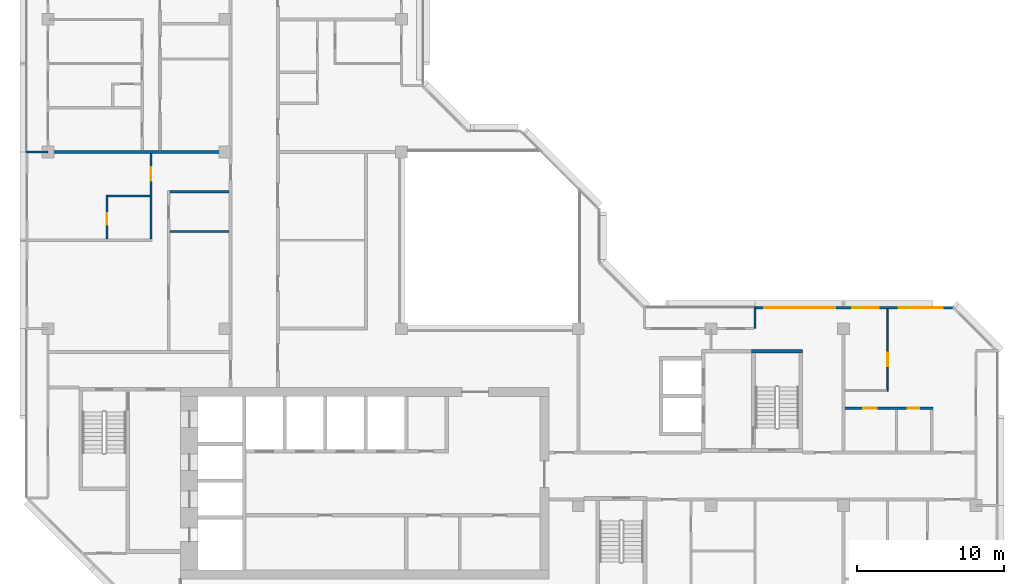
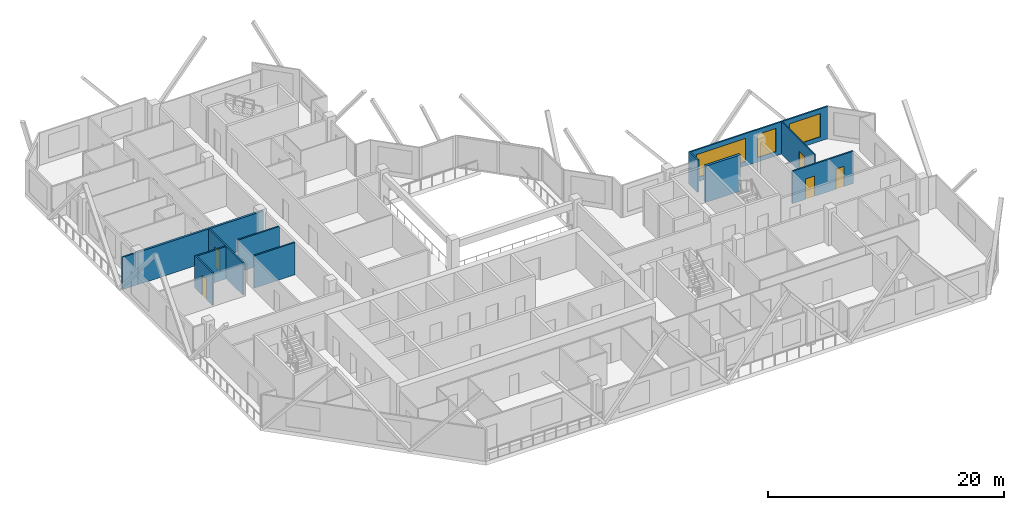
# One storey, part 8 of 13: 12 walls, 5 doors, 3 windows, 8 openings.
"""IFC4 building model written with IfcOpenShell, lengths in metres."""

from ifc_helpers import new_model, si_unit, direction, frame, frame_2d, origin, place, context, subcontext, project, spatial, rectangle, extrude, material, layer, layer_set, type_object, element, fill, save


model = new_model("IFC4")

# Units and contexts
model_context = context("Model", 3, precision=1e-05, world=origin(), true_north=direction((0.0, 1.0)))
body_context = subcontext(model_context, "Body", "Model", "MODEL_VIEW")
ifc_project = project(units=[si_unit("LENGTHUNIT", "METRE"), si_unit("AREAUNIT", "SQUARE_METRE"), si_unit("VOLUMEUNIT", "CUBIC_METRE"), si_unit("PLANEANGLEUNIT", "RADIAN"), si_unit("MASSUNIT", "GRAM", prefix="KILO")], contexts=[model_context])

# Site, building, storey
site_placement = place(None, origin())
site = spatial("IfcSite", under=ifc_project, at=site_placement, CompositionType="ELEMENT")
building_placement = place(site_placement, origin())
building = spatial("IfcBuilding", under=site, at=building_placement, Name="Chenar Terraces", CompositionType="ELEMENT")
storey_placement = place(building_placement, frame((0.0, 0.0, 295.89990234375)))
storey = spatial("IfcBuildingStorey", under=building, at=storey_placement, Name="L69", CompositionType="ELEMENT", Elevation=295.89990234375)

# Wall
ifc_material_1 = material(Name="Concrete C50/60", Category="concrete")
ifc_layer_1 = layer(ifc_material_1, 0.25)
ifc_layer_set_1 = layer_set([ifc_layer_1], Name="Concrete C50/60")
wall_type_1 = type_object("IfcWallType", Name="Core wall 250 Concrete C50/60", PredefinedType="SHEAR", material=ifc_layer_set_1)
wall_1_placement = place(storey_placement, frame((47.77490234375, 22.47509765625, 0.0), z_axis=(0.0, 0.0, 1.0), x_axis=(1.0, 0.0, 0.0)))
element("IfcWall", 1, at=wall_1_placement, inside=storey, type_object=wall_type_1, Name="Core wall ST3_N L69", PredefinedType="SHEAR", context=body_context, shape_type="SweptSolid", body=[
    extrude(rectangle(XDim=3.4501953125, YDim=0.25, at=frame_2d((1.72509765625, 0.0))), origin(), (0.0, 0.0, 1.0), 3.75),
])

# Wall, openings, windows
ifc_material_2 = material(Name="Aluminium framed glazing", Category="aluminium")
ifc_layer_2 = layer(ifc_material_2, 0.14990234375)
ifc_layer_set_2 = layer_set([ifc_layer_2], Name="Aluminium framed glazing")
wall_type_2 = type_object("IfcWallType", Name="Glazed flush facade wall 150", PredefinedType="SOLIDWALL", material=ifc_layer_set_2)
wall_2_placement = place(storey_placement, frame((61.5, 25.425048828125, 0.0), z_axis=(0.0, 0.0, 1.0), x_axis=(-1.0, 0.0, 0.0)))
wall_2 = element("IfcWall", 2, at=wall_2_placement, inside=storey, type_object=wall_type_2, Name="Glazed flush facade wall", PredefinedType="SOLIDWALL", context=body_context, shape_type="SweptSolid", body=[
    extrude(rectangle(XDim=13.425048828125, YDim=0.14990234375, at=frame_2d((6.71240234375, 0.0))), origin(), (0.0, 0.0, 1.0), 3.35009765625),
])
opening_1_placement = place(wall_2_placement, frame((0.75, 0.0, 0.449951171875)))
opening_1 = element("IfcOpeningElement", 3, at=opening_1_placement, cuts=wall_2, Name="Opening W300x240", PredefinedType="OPENING", context=body_context, shape_type="SweptSolid", body=[
    extrude(rectangle(XDim=3.0, YDim=2.39990234375, at=frame_2d((1.5, 1.199951171875))), frame((0.0, 0.0849609375, 0.0), z_axis=(0.0, -1.0, 0.0), x_axis=(1.0, 0.0, 0.0)), (0.0, 0.0, 1.0), 0.169921875),
])
opening_2_placement = place(wall_2_placement, frame((5.10009765625, 0.0, 0.449951171875)))
opening_2 = element("IfcOpeningElement", 4, at=opening_2_placement, cuts=wall_2, Name="Opening W180x240", PredefinedType="OPENING", context=body_context, shape_type="SweptSolid", body=[
    extrude(rectangle(XDim=1.800048828125, YDim=2.39990234375, at=frame_2d((0.89990234375, 1.199951171875))), frame((0.0, 0.0849609375, 0.0), z_axis=(0.0, -1.0, 0.0), x_axis=(1.0, 0.0, 0.0)), (0.0, 0.0, 1.0), 0.169921875),
])
opening_3_placement = place(wall_2_placement, frame((8.0625, 0.0, 0.449951171875)))
opening_3 = element("IfcOpeningElement", 5, at=opening_3_placement, cuts=wall_2, Name="Opening W480x240", PredefinedType="OPENING", context=body_context, shape_type="SweptSolid", body=[
    extrude(rectangle(XDim=4.800048828125, YDim=2.39990234375, at=frame_2d((2.39990234375, 1.199951171875))), frame((0.0, 0.0849609375, 0.0), z_axis=(0.0, -1.0, 0.0), x_axis=(1.0, 0.0, 0.0)), (0.0, 0.0, 1.0), 0.169921875),
])
ifc_material_3 = material(Name="Low emissivity double glazing, aluminium frame", Category="aluminium")
window_type_1 = type_object("IfcWindowType", Name="Fixed light 1800 x 2400", PartitioningType="SINGLE_PANEL", PredefinedType="WINDOW", material=ifc_material_3)
window_1_placement = place(opening_2_placement, origin())
window_1 = element("IfcWindow", 6, at=window_1_placement, inside=storey, type_object=window_type_1, Name="Window", OverallHeight=2.39990234375, OverallWidth=1.800048828125, PartitioningType="SINGLE_PANEL", PredefinedType="WINDOW", context=body_context, shape_type="SweptSolid", body=[
    extrude(rectangle(XDim=1.800048828125, YDim=2.39990234375, at=frame_2d((0.89990234375, 1.199951171875))), frame((0.0, 0.030029296875, 0.0), z_axis=(0.0, -1.0, 0.0), x_axis=(1.0, 0.0, 0.0)), (0.0, 0.0, 1.0), 0.06005859375),
])
fill(opening_2, window_1)
ifc_material_4 = material(Name="Low emissivity double glazing, aluminium frame", Category="aluminium")
window_type_2 = type_object("IfcWindowType", Name="Fixed light 3000 x 2400", PartitioningType="SINGLE_PANEL", PredefinedType="WINDOW", material=ifc_material_4)
window_2_placement = place(opening_1_placement, origin())
window_2 = element("IfcWindow", 7, at=window_2_placement, inside=storey, type_object=window_type_2, Name="Window", OverallHeight=2.39990234375, OverallWidth=3.0, PartitioningType="SINGLE_PANEL", PredefinedType="WINDOW", context=body_context, shape_type="SweptSolid", body=[
    extrude(rectangle(XDim=3.0, YDim=2.39990234375, at=frame_2d((1.5, 1.199951171875))), frame((0.0, 0.030029296875, 0.0), z_axis=(0.0, -1.0, 0.0), x_axis=(1.0, 0.0, 0.0)), (0.0, 0.0, 1.0), 0.06005859375),
])
fill(opening_1, window_2)
ifc_material_5 = material(Name="Low emissivity double glazing, aluminium frame", Category="aluminium")
window_type_3 = type_object("IfcWindowType", Name="Fixed light 4800 x 2400", PartitioningType="SINGLE_PANEL", PredefinedType="WINDOW", material=ifc_material_5)
window_3_placement = place(opening_3_placement, origin())
window_3 = element("IfcWindow", 8, at=window_3_placement, inside=storey, type_object=window_type_3, Name="Window", OverallHeight=2.39990234375, OverallWidth=4.800048828125, PartitioningType="SINGLE_PANEL", PredefinedType="WINDOW", context=body_context, shape_type="SweptSolid", body=[
    extrude(rectangle(XDim=4.800048828125, YDim=2.39990234375, at=frame_2d((2.39990234375, 1.199951171875))), frame((0.0, 0.030029296875, 0.0), z_axis=(0.0, -1.0, 0.0), x_axis=(1.0, 0.0, 0.0)), (0.0, 0.0, 1.0), 0.06005859375),
])
fill(opening_3, window_3)

# Wall, opening, door
ifc_material_6 = material(Name="Gypsum board on steel studs", Category="steel")
ifc_layer_3 = layer(ifc_material_6, 0.10009765625)
ifc_layer_set_3 = layer_set([ifc_layer_3], Name="Gypsum board on steel studs")
wall_type_3 = type_object("IfcWallType", Name="Gypsum partition 100", PredefinedType="PARTITIONING", material=ifc_layer_set_3)
wall_3_placement = place(storey_placement, frame((57.0, 19.75, 0.0), z_axis=(0.0, 0.0, 1.0), x_axis=(0.0, 1.0, 0.0)))
wall_3 = element("IfcWall", 9, at=wall_3_placement, inside=storey, type_object=wall_type_3, Name="Partition L69-074", PredefinedType="PARTITIONING", context=body_context, shape_type="SweptSolid", body=[
    extrude(rectangle(XDim=5.60009765625, YDim=0.10009765625, at=frame_2d((2.800048828125, 0.0))), origin(), (0.0, 0.0, 1.0), 3.35009765625),
])
opening_4_placement = place(wall_3_placement, frame((1.699951171875, 0.0, 0.0)))
opening_4 = element("IfcOpeningElement", 10, at=opening_4_placement, cuts=wall_3, Name="Opening DL69-5", PredefinedType="OPENING", context=body_context, shape_type="SweptSolid", body=[
    extrude(rectangle(XDim=0.89990234375, YDim=2.10009765625, at=frame_2d((0.449951171875, 1.050048828125))), frame((0.0, 0.06005859375, 0.0), z_axis=(0.0, -1.0, 0.0), x_axis=(1.0, 0.0, 0.0)), (0.0, 0.0, 1.0), 0.1201171875),
])
ifc_material_7 = material(Name="Veneered timber door leaf", Category="wood")
door_type_1 = type_object("IfcDoorType", Name="Door 900 x 2100", OperationType="SINGLE_SWING_LEFT", PredefinedType="DOOR", material=ifc_material_7)
door_1_placement = place(opening_4_placement, origin())
door_1 = element("IfcDoor", 11, at=door_1_placement, inside=storey, type_object=door_type_1, Name="Door DL69-5", OperationType="SINGLE_SWING_LEFT", OverallHeight=2.10009765625, OverallWidth=0.89990234375, PredefinedType="DOOR", context=body_context, shape_type="SweptSolid", body=[
    extrude(rectangle(XDim=0.89990234375, YDim=2.10009765625, at=frame_2d((0.449951171875, 1.050048828125))), frame((0.0, 0.02490234375, 0.0), z_axis=(0.0, -1.0, 0.0), x_axis=(1.0, 0.0, 0.0)), (0.0, 0.0, 1.0), 0.050048828125),
])
fill(opening_4, door_1)

# Walls
ifc_material_8 = material(Name="Terracotta cladding on insulated backing", Category="masonry")
ifc_layer_4 = layer(ifc_material_8, 0.14990234375)
ifc_layer_set_4 = layer_set([ifc_layer_4], Name="Terracotta cladding on insulated backing")
wall_type_4 = type_object("IfcWallType", Name="Loggia return wall 150", PredefinedType="SOLIDWALL", material=ifc_layer_set_4)
for number, where, z_axis, x_axis, name in (
    (12, (48.0, 25.5, 0.0), (0.0, 0.0, 1.0), (0.0, -1.0, 0.0), "Loggia return wall"),
    (13, (-1.5, 36.0, 0.0), (0.0, 0.0, 1.0), (1.0, 0.0, 0.0), "Loggia return wall"),
):
    element("IfcWall", number, at=place(storey_placement, frame(where, z_axis=z_axis, x_axis=x_axis)), inside=storey, type_object=wall_type_4, Name=name, PredefinedType="SOLIDWALL", context=body_context, shape_type="SweptSolid", body=[
        extrude(rectangle(XDim=1.5, YDim=0.14990234375, at=frame_2d((0.75, 0.0))), origin(), (0.0, 0.0, 1.0), 3.35009765625),
    ])
ifc_material_9 = material(Name="Twin gypsum board on steel studs with mineral wool", Category="steel")
ifc_layer_5 = layer(ifc_material_9, 0.199951171875)
ifc_layer_set_5 = layer_set([ifc_layer_5], Name="Twin gypsum board on steel studs with mineral wool")
wall_type_5 = type_object("IfcWallType", Name="Unit demising wall 200", PredefinedType="PARTITIONING", material=ifc_layer_set_5)
wall_4_placement = place(storey_placement, frame((0.0, 36.0, 0.0), z_axis=(0.0, 0.0, 1.0), x_axis=(1.0, 0.0, 0.0)))
element("IfcWall", 14, at=wall_4_placement, inside=storey, type_object=wall_type_5, Name="Partition L69-002", PredefinedType="PARTITIONING", context=body_context, shape_type="SweptSolid", body=[
    extrude(rectangle(XDim=12.300048828125, YDim=0.199951171875, at=frame_2d((6.14990234375, 0.0))), origin(), (0.0, 0.0, 1.0), 3.35009765625),
])

# Wall, opening, door
ifc_material_10 = material(Name="Moisture-resistant gypsum board on steel studs", Category="steel")
ifc_layer_6 = layer(ifc_material_10, 0.14990234375)
ifc_layer_set_6 = layer_set([ifc_layer_6], Name="Moisture-resistant gypsum board on steel studs")
wall_type_6 = type_object("IfcWallType", Name="Wet-room partition 150", PredefinedType="PARTITIONING", material=ifc_layer_set_6)
wall_5_placement = place(storey_placement, frame((4.0, 30.074951171875, 0.0), z_axis=(0.0, 0.0, 1.0), x_axis=(0.0, 1.0, 0.0)))
wall_5 = element("IfcWall", 15, at=wall_5_placement, inside=storey, type_object=wall_type_6, Name="Partition L69-012", PredefinedType="PARTITIONING", context=body_context, shape_type="SweptSolid", body=[
    extrude(rectangle(XDim=3.0, YDim=0.14990234375, at=frame_2d((1.5, 0.0))), origin(), (0.0, 0.0, 1.0), 3.35009765625),
])
opening_5_placement = place(wall_5_placement, frame((0.97509765625, 0.0, 0.0)))
opening_5 = element("IfcOpeningElement", 16, at=opening_5_placement, cuts=wall_5, Name="Opening DL69-50", PredefinedType="OPENING", context=body_context, shape_type="SweptSolid", body=[
    extrude(rectangle(XDim=0.800048828125, YDim=2.10009765625, at=frame_2d((0.39990234375, 1.050048828125))), frame((0.0, 0.0849609375, 0.0), z_axis=(0.0, -1.0, 0.0), x_axis=(1.0, 0.0, 0.0)), (0.0, 0.0, 1.0), 0.169921875),
])
ifc_material_11 = material(Name="Veneered timber door leaf", Category="wood")
door_type_2 = type_object("IfcDoorType", Name="Door 800 x 2100", OperationType="SINGLE_SWING_LEFT", PredefinedType="DOOR", material=ifc_material_11)
door_2_placement = place(opening_5_placement, frame((0.800048828125, 0.0, 0.0), z_axis=(0.0, 0.0, 1.0), x_axis=(-1.0, 0.0, 0.0)))
door_2 = element("IfcDoor", 17, at=door_2_placement, inside=storey, type_object=door_type_2, Name="Door DL69-50", OperationType="SINGLE_SWING_RIGHT", OverallHeight=2.10009765625, OverallWidth=0.800048828125, PredefinedType="DOOR", context=body_context, shape_type="SweptSolid", body=[
    extrude(rectangle(XDim=0.800048828125, YDim=2.10009765625, at=frame_2d((0.39990234375, 1.050048828125))), frame((0.0, 0.02490234375, 0.0), z_axis=(0.0, -1.0, 0.0), x_axis=(1.0, 0.0, 0.0)), (0.0, 0.0, 1.0), 0.050048828125),
])
fill(opening_5, door_2)

# Wall
wall_6_placement = place(storey_placement, frame((4.074951171875, 33.0, 0.0), z_axis=(0.0, 0.0, 1.0), x_axis=(1.0, 0.0, 0.0)))
element("IfcWall", 18, at=wall_6_placement, inside=storey, type_object=wall_type_6, Name="Partition L69-013", PredefinedType="PARTITIONING", context=body_context, shape_type="SweptSolid", body=[
    extrude(rectangle(XDim=2.85009765625, YDim=0.14990234375, at=frame_2d((1.425048828125, 0.0))), origin(), (0.0, 0.0, 1.0), 3.35009765625),
])

# Wall, opening, door
wall_7_placement = place(storey_placement, frame((7.0, 30.074951171875, 0.0), z_axis=(0.0, 0.0, 1.0), x_axis=(0.0, 1.0, 0.0)))
wall_7 = element("IfcWall", 19, at=wall_7_placement, inside=storey, type_object=wall_type_6, Name="Partition L69-018", PredefinedType="PARTITIONING", context=body_context, shape_type="SweptSolid", body=[
    extrude(rectangle(XDim=5.824951171875, YDim=0.14990234375, at=frame_2d((2.91259765625, 0.0))), origin(), (0.0, 0.0, 1.0), 3.35009765625),
])
opening_6_placement = place(wall_7_placement, frame((3.97509765625, 0.0, 0.0)))
opening_6 = element("IfcOpeningElement", 20, at=opening_6_placement, cuts=wall_7, Name="Opening DL69-49", PredefinedType="OPENING", context=body_context, shape_type="SweptSolid", body=[
    extrude(rectangle(XDim=0.89990234375, YDim=2.10009765625, at=frame_2d((0.449951171875, 1.050048828125))), frame((0.0, 0.0849609375, 0.0), z_axis=(0.0, -1.0, 0.0), x_axis=(1.0, 0.0, 0.0)), (0.0, 0.0, 1.0), 0.169921875),
])
door_3_placement = place(opening_6_placement, origin())
door_3 = element("IfcDoor", 21, at=door_3_placement, inside=storey, type_object=door_type_1, Name="Door DL69-49", OperationType="SINGLE_SWING_RIGHT", OverallHeight=2.10009765625, OverallWidth=0.89990234375, PredefinedType="DOOR", context=body_context, shape_type="SweptSolid", body=[
    extrude(rectangle(XDim=0.89990234375, YDim=2.10009765625, at=frame_2d((0.449951171875, 1.050048828125))), frame((0.0, 0.02490234375, 0.0), z_axis=(0.0, -1.0, 0.0), x_axis=(1.0, 0.0, 0.0)), (0.0, 0.0, 1.0), 0.050048828125),
])
fill(opening_6, door_3)

# Walls
for number, where, z_axis, x_axis, name in (
    (22, (8.27490234375, 30.60009765625, 0.0), (0.0, 0.0, 1.0), (1.0, 0.0, 0.0), "Partition L69-025"),
    (23, (8.27490234375, 33.300048828125, 0.0), (0.0, 0.0, 1.0), (1.0, 0.0, 0.0), "Partition L69-026"),
):
    element("IfcWall", number, at=place(storey_placement, frame(where, z_axis=z_axis, x_axis=x_axis)), inside=storey, type_object=wall_type_6, Name=name, PredefinedType="PARTITIONING", context=body_context, shape_type="SweptSolid", body=[
        extrude(rectangle(XDim=4.025146484375, YDim=0.14990234375, at=frame_2d((2.0126953125, 0.0))), origin(), (0.0, 0.0, 1.0), 3.35009765625),
    ])

# Wall, openings, doors
wall_8_placement = place(storey_placement, frame((54.10009765625, 18.60009765625, 0.0), z_axis=(0.0, 0.0, 1.0), x_axis=(1.0, 0.0, 0.0)))
wall_8 = element("IfcWall", 24, at=wall_8_placement, inside=storey, type_object=wall_type_6, Name="Partition L69-070", PredefinedType="PARTITIONING", context=body_context, shape_type="SweptSolid", body=[
    extrude(rectangle(XDim=5.974853515625, YDim=0.14990234375, at=frame_2d((2.9873046875, 0.0))), origin(), (0.0, 0.0, 1.0), 3.35009765625),
])
opening_7_placement = place(wall_8_placement, frame((4.25, 0.0, 0.0)))
opening_7 = element("IfcOpeningElement", 25, at=opening_7_placement, cuts=wall_8, Name="Opening DL69-4", PredefinedType="OPENING", context=body_context, shape_type="SweptSolid", body=[
    extrude(rectangle(XDim=0.800048828125, YDim=2.10009765625, at=frame_2d((0.39990234375, 1.050048828125))), frame((0.0, 0.0849609375, 0.0), z_axis=(0.0, -1.0, 0.0), x_axis=(1.0, 0.0, 0.0)), (0.0, 0.0, 1.0), 0.169921875),
])
opening_8_placement = place(wall_8_placement, frame((1.25, 0.0, 0.0)))
opening_8 = element("IfcOpeningElement", 26, at=opening_8_placement, cuts=wall_8, Name="Opening DL69-6", PredefinedType="OPENING", context=body_context, shape_type="SweptSolid", body=[
    extrude(rectangle(XDim=0.89990234375, YDim=2.10009765625, at=frame_2d((0.449951171875, 1.050048828125))), frame((0.0, 0.0849609375, 0.0), z_axis=(0.0, -1.0, 0.0), x_axis=(1.0, 0.0, 0.0)), (0.0, 0.0, 1.0), 0.169921875),
])
door_4_placement = place(opening_7_placement, frame((0.800048828125, 0.0, 0.0), z_axis=(0.0, 0.0, 1.0), x_axis=(-1.0, 0.0, 0.0)))
door_4 = element("IfcDoor", 27, at=door_4_placement, inside=storey, type_object=door_type_2, Name="Door DL69-4", OperationType="SINGLE_SWING_RIGHT", OverallHeight=2.10009765625, OverallWidth=0.800048828125, PredefinedType="DOOR", context=body_context, shape_type="SweptSolid", body=[
    extrude(rectangle(XDim=0.800048828125, YDim=2.10009765625, at=frame_2d((0.39990234375, 1.050048828125))), frame((0.0, 0.02490234375, 0.0), z_axis=(0.0, -1.0, 0.0), x_axis=(1.0, 0.0, 0.0)), (0.0, 0.0, 1.0), 0.050048828125),
])
fill(opening_7, door_4)
door_5_placement = place(opening_8_placement, frame((0.89990234375, 0.0, 0.0), z_axis=(0.0, 0.0, 1.0), x_axis=(-1.0, 0.0, 0.0)))
door_5 = element("IfcDoor", 28, at=door_5_placement, inside=storey, type_object=door_type_1, Name="Door DL69-6", OperationType="SINGLE_SWING_LEFT", OverallHeight=2.10009765625, OverallWidth=0.89990234375, PredefinedType="DOOR", context=body_context, shape_type="SweptSolid", body=[
    extrude(rectangle(XDim=0.89990234375, YDim=2.10009765625, at=frame_2d((0.449951171875, 1.050048828125))), frame((0.0, 0.02490234375, 0.0), z_axis=(0.0, -1.0, 0.0), x_axis=(1.0, 0.0, 0.0)), (0.0, 0.0, 1.0), 0.050048828125),
])
fill(opening_8, door_5)

save(model, "model.ifc")
